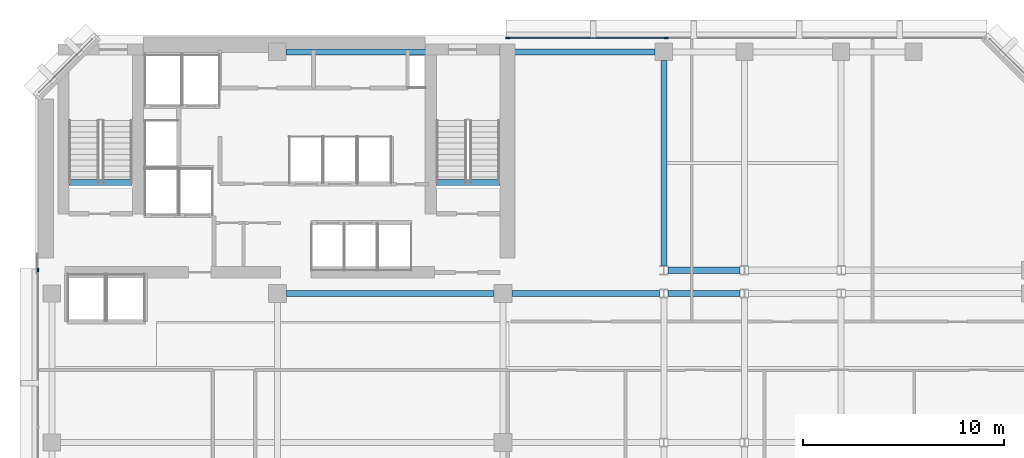
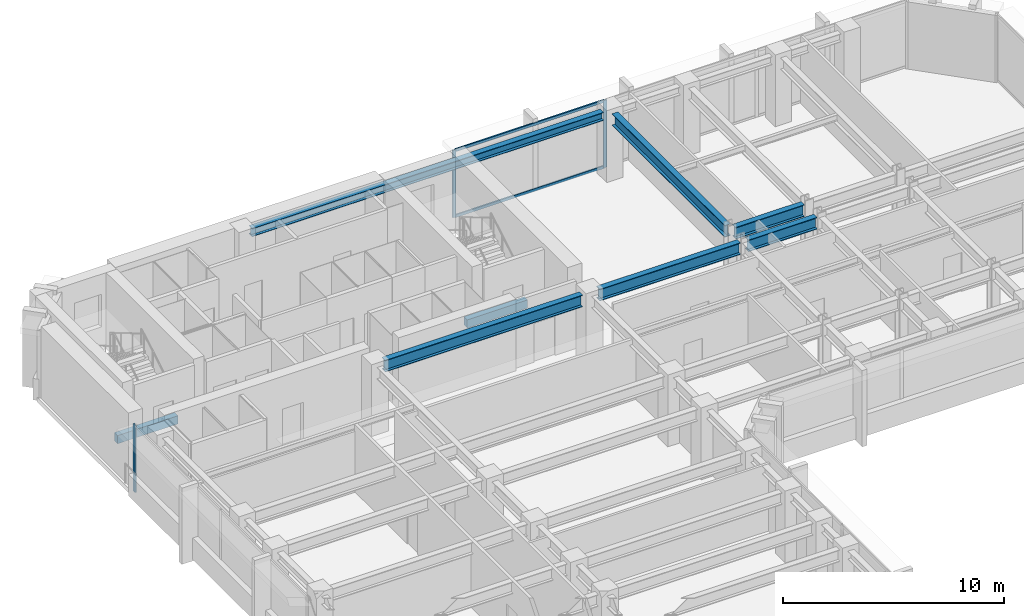
# One storey, part 4 of 11: 8 beams, 5 members, 2 elements without a shape of their own.
"""IFC4 building model written with IfcOpenShell, lengths in metres."""

from ifc_helpers import new_model, si_unit, direction, frame, origin, origin_2d, place, context, subcontext, project, spatial, rectangle, i_section, extrude, material, layer, layer_set, material_profile, profile_set, type_object, element, aggregate, save


model = new_model("IFC4")

# Units and contexts
model_context = context("Model", 3, precision=1e-05, world=origin(), true_north=direction((0.0, 1.0)))
body_context = subcontext(model_context, "Body", "Model", "MODEL_VIEW")
ifc_project = project(units=[si_unit("LENGTHUNIT", "METRE"), si_unit("AREAUNIT", "SQUARE_METRE"), si_unit("VOLUMEUNIT", "CUBIC_METRE"), si_unit("PLANEANGLEUNIT", "RADIAN"), si_unit("MASSUNIT", "GRAM", prefix="KILO")], contexts=[model_context])

# Site, building, storey
site_placement = place(None, origin())
site = spatial("IfcSite", under=ifc_project, at=site_placement, CompositionType="ELEMENT")
building_placement = place(site_placement, origin())
building = spatial("IfcBuilding", under=site, at=building_placement, Name="Kefirva Bronze Tower", CompositionType="ELEMENT")
storey_placement = place(building_placement, frame((0.0, 0.0, 154.77001953125)))
storey = spatial("IfcBuildingStorey", under=building, at=storey_placement, Name="L37", CompositionType="ELEMENT", Elevation=154.77001953125)

# Curtain wall, members
ifc_material_1 = material(Name="Bronze anodised aluminium", Category="aluminium")
ifc_layer = layer(ifc_material_1, 0.199951171875, Name="Bronze anodised aluminium")
ifc_layer_set = layer_set([ifc_layer], Name="Bronze anodised aluminium")
curtain_wall_type = type_object("IfcCurtainWallType", Name="Unitised Bronze Ribbon Curtain Wall Zone 2", PredefinedType="USERDEFINED", material=ifc_layer_set)
curtain_wall_1_placement = place(storey_placement, origin())
curtain_wall_1 = element("IfcCurtainWall", 1, at=curtain_wall_1_placement, inside=storey, type_object=curtain_wall_type, Name="L37 Curtain Wall 5", ObjectType="UNITISED CURTAIN WALL", PredefinedType="USERDEFINED")
ifc_material_profile_1 = material_profile(ifc_material_1, rectangle(XDim=0.074951171875, YDim=0.179931640625, at=origin_2d()), Name="ALU 75x180")
ifc_profile_set_1 = profile_set([ifc_material_profile_1], Name="Bronze anodised aluminium")
member_type_1 = type_object("IfcMemberType", Name="Bronze Mullion 75x180", PredefinedType="MULLION", material=ifc_profile_set_1)
member_1_placement = place(storey_placement, frame((31.318359375, 45.8798828125, 0.0), z_axis=(0.0, 0.0, 1.0), x_axis=(0.0, -1.0, 0.0)))
member_1 = element("IfcMember", 2, at=member_1_placement, type_object=member_type_1, Name="CW-02 mullion 3", PredefinedType="MULLION", context=body_context, shape_type="SweptSolid", body=[
    extrude(rectangle(XDim=0.074951171875, YDim=0.179931640625, at=origin_2d()), origin(), (0.0, 0.0, 1.0), 3.7099609375),
])
member_2_placement = place(storey_placement, frame((23.4423828125, 45.8798828125, 0.0), z_axis=(0.0, 0.0, 1.0), x_axis=(0.0, -1.0, 0.0)))
member_2 = element("IfcMember", 3, at=member_2_placement, type_object=member_type_1, Name="CW-02 mullion 4", PredefinedType="MULLION", context=body_context, shape_type="SweptSolid", body=[
    extrude(rectangle(XDim=0.074951171875, YDim=0.179931640625, at=origin_2d()), origin(), (0.0, 0.0, 1.0), 3.7099609375),
])

# Curtain wall, member
curtain_wall_2_placement = place(storey_placement, origin())
curtain_wall_2 = element("IfcCurtainWall", 4, at=curtain_wall_2_placement, inside=storey, type_object=curtain_wall_type, Name="L37 Curtain Wall 6", ObjectType="UNITISED CURTAIN WALL", PredefinedType="USERDEFINED")
member_3_placement = place(storey_placement, frame((0.1201171875, 34.357421875, 0.0), z_axis=(0.0, 0.0, 1.0), x_axis=(1.0, 0.0, 0.0)))
member_3 = element("IfcMember", 5, at=member_3_placement, type_object=member_type_1, Name="CW-02 mullion 1", PredefinedType="MULLION", context=body_context, shape_type="SweptSolid", body=[
    extrude(rectangle(XDim=0.074951171875, YDim=0.179931640625, at=origin_2d()), origin(), (0.0, 0.0, 1.0), 3.7099609375),
])
aggregate(curtain_wall_2, [member_3])

# Member
ifc_material_profile_2 = material_profile(ifc_material_1, rectangle(XDim=0.074951171875, YDim=0.14990234375, at=origin_2d()), Name="ALU 75x150")
ifc_profile_set_2 = profile_set([ifc_material_profile_2], Name="Bronze anodised aluminium")
member_type_2 = type_object("IfcMemberType", Name="Bronze Transom 75x150", PredefinedType="USERDEFINED", material=ifc_profile_set_2)
member_4_placement = place(storey_placement, frame((31.28076171875, 45.8798828125, 0.03759765625), z_axis=(-1.0, 0.0, 0.0), x_axis=(0.0, -1.0, 0.0)))
member_4 = element("IfcMember", 6, at=member_4_placement, type_object=member_type_2, Name="CW-02 transom 3.1", ObjectType="TRANSOM", PredefinedType="USERDEFINED", context=body_context, shape_type="SweptSolid", body=[
    extrude(rectangle(XDim=0.074951171875, YDim=0.14990234375, at=origin_2d()), origin(), (0.0, 0.0, 1.0), 7.80078125),
])

member_5_placement = place(storey_placement, frame((31.28076171875, 45.8798828125, 3.67236328125), z_axis=(-1.0, 0.0, 0.0), x_axis=(0.0, -1.0, 0.0)))
member_5 = element("IfcMember", 7, at=member_5_placement, type_object=member_type_2, Name="CW-02 transom 3.2", ObjectType="TRANSOM", PredefinedType="USERDEFINED", context=body_context, shape_type="SweptSolid", body=[
    extrude(rectangle(XDim=0.074951171875, YDim=0.14990234375, at=origin_2d()), origin(), (0.0, 0.0, 1.0), 7.80078125),
])

aggregate(curtain_wall_1, [member_1, member_2, member_4, member_5])

# Beams
ifc_material_2 = material(Name="Concrete C50/60", Category="concrete")
ifc_material_profile_3 = material_profile(ifc_material_2, rectangle(XDim=0.300048828125, YDim=0.449951171875, at=origin_2d()), Name="RC 300x450")
ifc_profile_set_3 = profile_set([ifc_material_profile_3], Name="Concrete C50/60")
beam_type_1 = type_object("IfcBeamType", Name="RC Stair Trimmer Beam 300x450", PredefinedType="BEAM", material=ifc_profile_set_3)
beam_1_placement = place(storey_placement, frame((1.64501953125, 38.699951171875, -0.22509765625), z_axis=(1.0, 0.0, 0.0), x_axis=(0.0, 1.0, 0.0)))
element("IfcBeam", 8, at=beam_1_placement, inside=storey, type_object=beam_type_1, Name="L37 Stair 1 Landing Trimmer Beam", PredefinedType="BEAM", context=body_context, shape_type="SweptSolid", body=[
    extrude(rectangle(XDim=0.300048828125, YDim=0.449951171875, at=origin_2d()), origin(), (0.0, 0.0, 1.0), 3.14990234375),
])
beam_2_placement = place(storey_placement, frame((19.89501953125, 38.699951171875, -0.22509765625), z_axis=(1.0, 0.0, 0.0), x_axis=(0.0, 1.0, 0.0)))
element("IfcBeam", 9, at=beam_2_placement, inside=storey, type_object=beam_type_1, Name="L37 Stair 2 Landing Trimmer Beam", PredefinedType="BEAM", context=body_context, shape_type="SweptSolid", body=[
    extrude(rectangle(XDim=0.300048828125, YDim=0.449951171875, at=origin_2d()), origin(), (0.0, 0.0, 1.0), 3.159912109375),
])
ifc_material_3 = material(Name="Steel S355", Category="steel")
ifc_material_profile_4 = material_profile(ifc_material_3, i_section(OverallWidth=0.300048828125, OverallDepth=0.64990234375, WebThickness=0.01611328125, FlangeThickness=0.031005859375, at=origin_2d()), Name="HEB 650")
ifc_profile_set_4 = profile_set([ifc_material_profile_4], Name="Steel S355")
beam_type_2 = type_object("IfcBeamType", Name="Steel Girder HEB 650", PredefinedType="USERDEFINED", material=ifc_profile_set_4)
beam_3_placement = place(storey_placement, frame((12.449951171875, 33.199951171875, 3.385009765625), z_axis=(1.0, 0.0, 0.0), x_axis=(0.0, 1.0, 0.0)))
element("IfcBeam", 10, at=beam_3_placement, inside=storey, type_object=beam_type_2, Name="L37 BM-L37-EW-12-332", ObjectType="GIRDER", PredefinedType="USERDEFINED", context=body_context, shape_type="SweptSolid", body=[
    extrude(i_section(OverallWidth=0.300048828125, OverallDepth=0.64990234375, WebThickness=0.01611328125, FlangeThickness=0.031005859375, at=origin_2d()), origin(), (0.0, 0.0, 1.0), 10.300048828125),
])
beam_4_placement = place(storey_placement, frame((23.64990234375, 33.199951171875, 3.385009765625), z_axis=(1.0, 0.0, 0.0), x_axis=(0.0, 1.0, 0.0)))
element("IfcBeam", 11, at=beam_4_placement, inside=storey, type_object=beam_type_2, Name="L37 BM-L37-EW-23-332", ObjectType="GIRDER", PredefinedType="USERDEFINED", context=body_context, shape_type="SweptSolid", body=[
    extrude(i_section(OverallWidth=0.300048828125, OverallDepth=0.64990234375, WebThickness=0.01611328125, FlangeThickness=0.031005859375, at=origin_2d()), origin(), (0.0, 0.0, 1.0), 7.341064453125),
])
for number, where, z_axis, x_axis, name in (
    (12, (31.408935546875, 33.199951171875, 3.385009765625), (1.0, 0.0, 0.0), (0.0, 1.0, 0.0), "L37 BM-L37-EW-31-332"),
    (13, (31.408935546875, 34.35009765625, 3.385009765625), (1.0, 0.0, 0.0), (0.0, 1.0, 0.0), "L37 BM-L37-EW-31-344"),
):
    element("IfcBeam", number, at=place(storey_placement, frame(where, z_axis=z_axis, x_axis=x_axis)), inside=storey, type_object=beam_type_2, Name=name, ObjectType="GIRDER", PredefinedType="USERDEFINED", context=body_context, shape_type="SweptSolid", body=[
        extrude(i_section(OverallWidth=0.300048828125, OverallDepth=0.64990234375, WebThickness=0.01611328125, FlangeThickness=0.031005859375, at=origin_2d()), origin(), (0.0, 0.0, 1.0), 3.58203125),
    ])
beam_5_placement = place(storey_placement, frame((31.199951171875, 34.577392578125, 3.385009765625), z_axis=(0.0, 1.0, 0.0), x_axis=(-1.0, 0.0, 0.0)))
element("IfcBeam", 14, at=beam_5_placement, inside=storey, type_object=beam_type_2, Name="L37 BM-L37-NS-312-34", ObjectType="GIRDER", PredefinedType="USERDEFINED", context=body_context, shape_type="SweptSolid", body=[
    extrude(i_section(OverallWidth=0.300048828125, OverallDepth=0.64990234375, WebThickness=0.01611328125, FlangeThickness=0.031005859375, at=origin_2d()), origin(), (0.0, 0.0, 1.0), 10.192626953125),
])
ifc_material_profile_5 = material_profile(ifc_material_3, i_section(OverallWidth=0.300048828125, OverallDepth=0.449951171875, WebThickness=0.013916015625, FlangeThickness=0.02587890625, at=origin_2d()), Name="HEB 450")
ifc_profile_set_5 = profile_set([ifc_material_profile_5], Name="Steel S355")
beam_type_3 = type_object("IfcBeamType", Name="Steel Spandrel HEB 450 Ext", PredefinedType="SPANDREL", material=ifc_profile_set_5)
beam_6_placement = place(storey_placement, frame((12.429931640625, 45.199951171875, 3.48486328125), z_axis=(1.0, 0.0, 0.0), x_axis=(0.0, 1.0, 0.0)))
element("IfcBeam", 15, at=beam_6_placement, inside=storey, type_object=beam_type_3, Name="L37 BM-L37-EW-12-452", PredefinedType="SPANDREL", context=body_context, shape_type="SweptSolid", body=[
    extrude(i_section(OverallWidth=0.300048828125, OverallDepth=0.449951171875, WebThickness=0.013916015625, FlangeThickness=0.02587890625, at=origin_2d()), origin(), (0.0, 0.0, 1.0), 18.340087890625),
])

save(model, "model.ifc")
